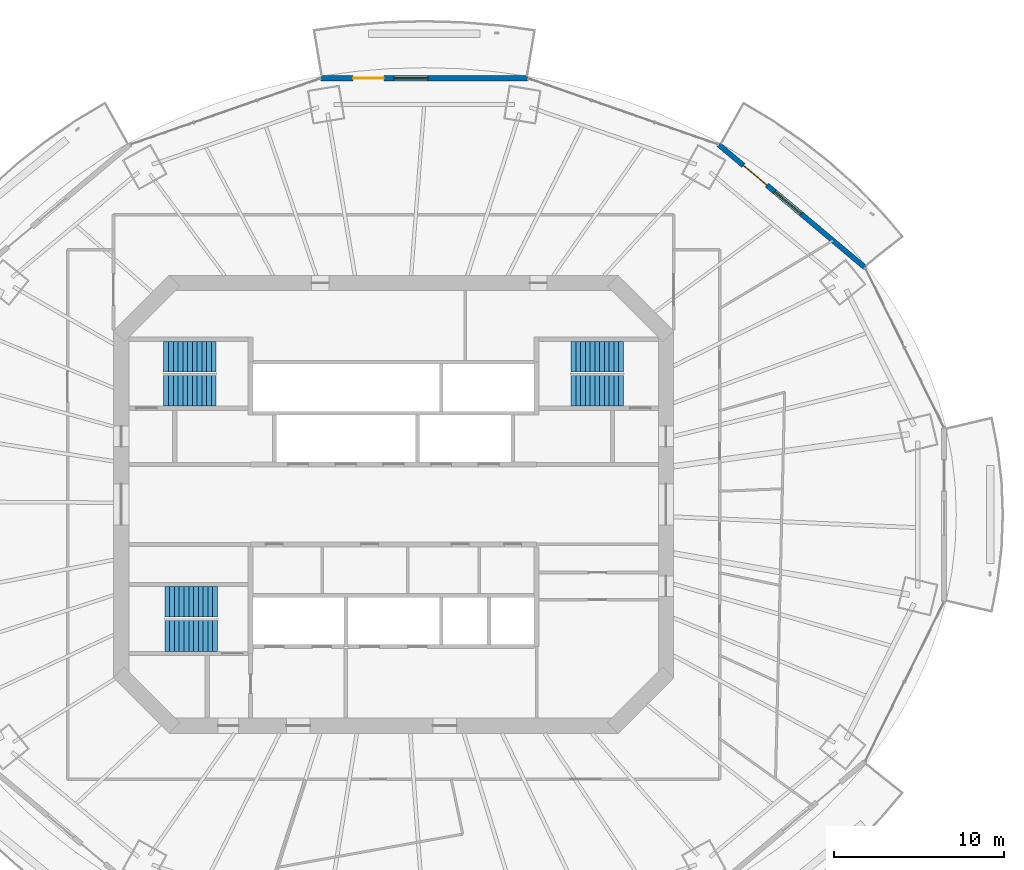
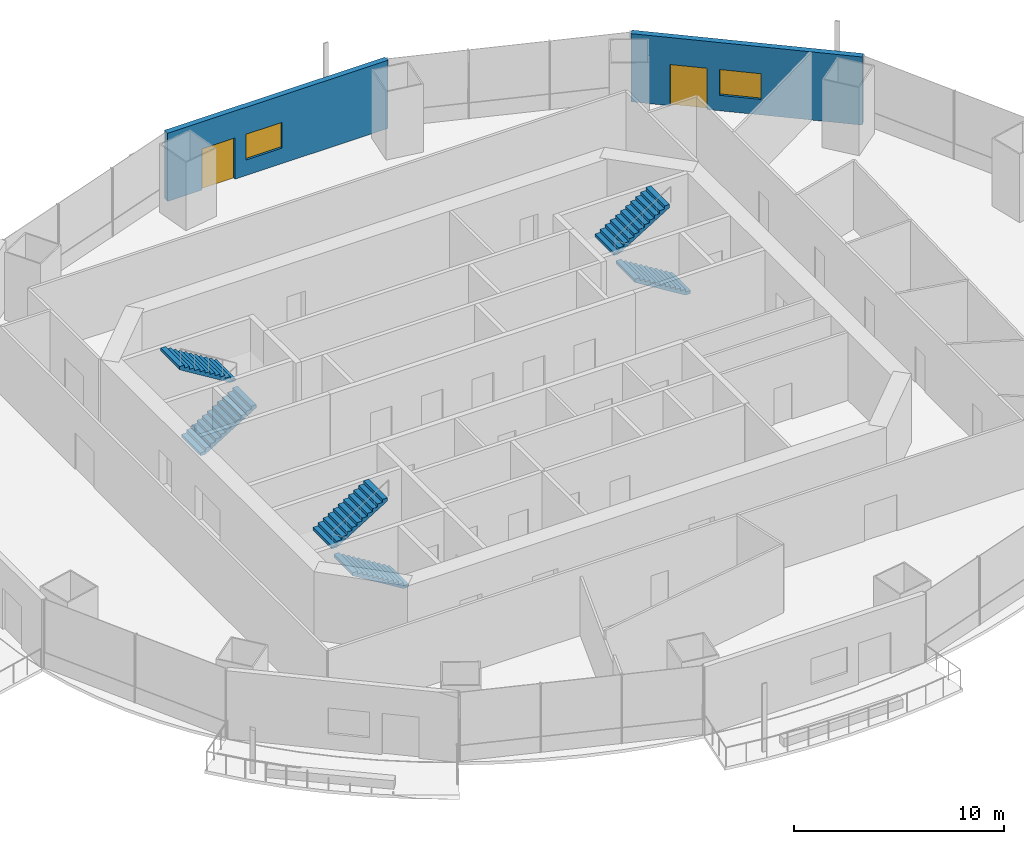
# One storey, part 14 of 20: 6 stair flights, 2 doors, 2 walls, 2 windows, 4 openings, 3 elements without a shape of their own.
"""IFC4 building model written with IfcOpenShell, lengths in metres."""

from ifc_helpers import new_model, si_unit, direction, frame, frame_2d, origin, place, context, subcontext, project, spatial, polyline, rectangle, outline, extrude, material, layer, layer_set, type_object, element, fill, aggregate, save


model = new_model("IFC4")

# Units and contexts
model_context = context("Model", 3, precision=1e-05, world=origin(), true_north=direction((0.0, 1.0)))
body_context = subcontext(model_context, "Body", "Model", "MODEL_VIEW")
ifc_project = project(units=[si_unit("LENGTHUNIT", "METRE"), si_unit("AREAUNIT", "SQUARE_METRE"), si_unit("VOLUMEUNIT", "CUBIC_METRE"), si_unit("PLANEANGLEUNIT", "RADIAN"), si_unit("MASSUNIT", "GRAM", prefix="KILO")], contexts=[model_context])

# Site, building, storey
site_placement = place(None, origin())
site = spatial("IfcSite", under=ifc_project, at=site_placement, CompositionType="ELEMENT")
building_placement = place(site_placement, origin())
building = spatial("IfcBuilding", under=site, at=building_placement, Name="Marenthal Gate Tower", CompositionType="ELEMENT")
storey_placement = place(building_placement, frame((0.0, 0.0, 210.85009765625)))
storey = spatial("IfcBuildingStorey", under=building, at=storey_placement, Name="L46", CompositionType="ELEMENT", Elevation=210.85009765625)

# Wall, openings, door, window
ifc_material_1 = material(Name="Terracotta cladding on insulated concrete-block backing", Category="masonry")
ifc_layer = layer(ifc_material_1, 0.300048828125)
ifc_layer_set = layer_set([ifc_layer], Name="Terracotta facade wall 300")
wall_type = type_object("IfcWallType", Name="Terracotta facade wall 300", PredefinedType="SOLIDWALL", material=ifc_layer_set)
wall_1_placement = place(storey_placement, frame((27.68359375, 13.9169921875, 0.0), z_axis=(0.0, 0.0, 1.0), x_axis=(-0.76593385613, 0.642919379109, 0.0)))
wall_1 = element("IfcWall", 1, at=wall_1_placement, inside=storey, type_object=wall_type, Name="Terracotta facade wall L46 bay 2", PredefinedType="SOLIDWALL", context=body_context, shape_type="SweptSolid", body=[
    extrude(rectangle(XDim=11.21337890625, YDim=0.300048828125, at=frame_2d((5.606689453125, 0.0))), origin(), (0.0, 0.0, 1.0), 3.969970703125),
])
opening_1_placement = place(wall_1_placement, frame((7.51318359375, 0.0, 0.0)))
opening_1 = element("IfcOpeningElement", 2, at=opening_1_placement, cuts=wall_1, Name="Opening BD-L46-02", PredefinedType="OPENING", context=body_context, shape_type="SweptSolid", body=[
    extrude(rectangle(XDim=1.800048828125, YDim=2.39990234375, at=frame_2d((0.89990234375, 1.199951171875))), frame((0.0, 0.16015625, 0.0), z_axis=(0.0, -1.0, 0.0), x_axis=(1.0, 0.0, 0.0)), (0.0, 0.0, 1.0), 0.320068359375),
])
opening_2_placement = place(wall_1_placement, frame((4.913330078125, 0.0, 0.89990234375)))
opening_2 = element("IfcOpeningElement", 3, at=opening_2_placement, cuts=wall_1, Name="Opening WN2-L46-02", PredefinedType="OPENING", context=body_context, shape_type="SweptSolid", body=[
    extrude(rectangle(XDim=2.0, YDim=1.5, at=frame_2d((1.0, 0.75))), frame((0.0, 0.16015625, 0.0), z_axis=(0.0, -1.0, 0.0), x_axis=(1.0, 0.0, 0.0)), (0.0, 0.0, 1.0), 0.320068359375),
])
ifc_material_2 = material(Name="Aluminium and glass", Category="aluminium")
door_type = type_object("IfcDoorType", Name="Balcony door 1800x2400", OperationType="DOUBLE_DOOR_SINGLE_SWING", PredefinedType="DOOR", material=ifc_material_2)
door_1_placement = place(opening_1_placement, origin())
door_1 = element("IfcDoor", 4, at=door_1_placement, inside=storey, type_object=door_type, Name="Balcony door L46 bay 2", OperationType="SINGLE_SWING_LEFT", OverallHeight=2.39990234375, OverallWidth=1.800048828125, PredefinedType="DOOR", context=body_context, shape_type="SweptSolid", body=[
    extrude(rectangle(XDim=1.800048828125, YDim=2.39990234375, at=frame_2d((0.89990234375, 1.199951171875))), frame((0.0, 0.02490234375, 0.0), z_axis=(0.0, -1.0, 0.0), x_axis=(1.0, 0.0, 0.0)), (0.0, 0.0, 1.0), 0.050048828125),
])
fill(opening_1, door_1)
ifc_material_3 = material(Name="Aluminium and glass", Category="aluminium")
window_type = type_object("IfcWindowType", Name="Window 2000x1500", PartitioningType="DOUBLE_PANEL_VERTICAL", PredefinedType="WINDOW", material=ifc_material_3)
window_1_placement = place(opening_2_placement, origin())
window_1 = element("IfcWindow", 5, at=window_1_placement, inside=storey, type_object=window_type, Name="Window L46 bay 2", OverallHeight=1.5, OverallWidth=2.0, PartitioningType="SINGLE_PANEL", PredefinedType="WINDOW", context=body_context, shape_type="SweptSolid", body=[
    extrude(rectangle(XDim=2.0, YDim=1.5, at=frame_2d((1.0, 0.75))), frame((0.0, 0.030029296875, 0.0), z_axis=(0.0, -1.0, 0.0), x_axis=(1.0, 0.0, 0.0)), (0.0, 0.0, 1.0), 0.06005859375),
])
fill(opening_2, window_1)

wall_2_placement = place(storey_placement, frame((7.873291015625, 25.02783203125, 0.0), z_axis=(0.0, 0.0, 1.0), x_axis=(-1.0, 0.0, 0.0)))
wall_2 = element("IfcWall", 6, at=wall_2_placement, inside=storey, type_object=wall_type, Name="Terracotta facade wall L46 bay 4", PredefinedType="SOLIDWALL", context=body_context, shape_type="SweptSolid", body=[
    extrude(rectangle(XDim=12.146484375, YDim=0.300048828125, at=frame_2d((6.0732421875, 0.0))), origin(), (0.0, 0.0, 1.0), 3.969970703125),
])
opening_3_placement = place(wall_2_placement, frame((8.4462890625, 0.0, 0.0)))
opening_3 = element("IfcOpeningElement", 7, at=opening_3_placement, cuts=wall_2, Name="Opening BD-L46-04", PredefinedType="OPENING", context=body_context, shape_type="SweptSolid", body=[
    extrude(rectangle(XDim=1.800048828125, YDim=2.39990234375, at=frame_2d((0.89990234375, 1.199951171875))), frame((0.0, 0.16015625, 0.0), z_axis=(0.0, -1.0, 0.0), x_axis=(1.0, 0.0, 0.0)), (0.0, 0.0, 1.0), 0.320068359375),
])
opening_4_placement = place(wall_2_placement, frame((5.846435546875, 0.0, 0.89990234375)))
opening_4 = element("IfcOpeningElement", 8, at=opening_4_placement, cuts=wall_2, Name="Opening WN2-L46-04", PredefinedType="OPENING", context=body_context, shape_type="SweptSolid", body=[
    extrude(rectangle(XDim=2.0, YDim=1.5, at=frame_2d((1.0, 0.75))), frame((0.0, 0.16015625, 0.0), z_axis=(0.0, -1.0, 0.0), x_axis=(1.0, 0.0, 0.0)), (0.0, 0.0, 1.0), 0.320068359375),
])
door_2_placement = place(opening_3_placement, origin())
door_2 = element("IfcDoor", 9, at=door_2_placement, inside=storey, type_object=door_type, Name="Balcony door L46 bay 4", OperationType="SINGLE_SWING_LEFT", OverallHeight=2.39990234375, OverallWidth=1.800048828125, PredefinedType="DOOR", context=body_context, shape_type="SweptSolid", body=[
    extrude(rectangle(XDim=1.800048828125, YDim=2.39990234375, at=frame_2d((0.89990234375, 1.199951171875))), frame((0.0, 0.02490234375, 0.0), z_axis=(0.0, -1.0, 0.0), x_axis=(1.0, 0.0, 0.0)), (0.0, 0.0, 1.0), 0.050048828125),
])
fill(opening_3, door_2)
window_2_placement = place(opening_4_placement, origin())
window_2 = element("IfcWindow", 10, at=window_2_placement, inside=storey, type_object=window_type, Name="Window L46 bay 4", OverallHeight=1.5, OverallWidth=2.0, PartitioningType="SINGLE_PANEL", PredefinedType="WINDOW", context=body_context, shape_type="SweptSolid", body=[
    extrude(rectangle(XDim=2.0, YDim=1.5, at=frame_2d((1.0, 0.75))), frame((0.0, 0.030029296875, 0.0), z_axis=(0.0, -1.0, 0.0), x_axis=(1.0, 0.0, 0.0)), (0.0, 0.0, 1.0), 0.06005859375),
])
fill(opening_4, window_2)

# Stair, stair flights
ifc_material_4 = material(Name="Concrete 40 MPa", Category="concrete")
stair_type = type_object("IfcStairType", Name="Exit stair 1800", PredefinedType="HALF_TURN_STAIR", material=ifc_material_4)
stair_1_placement = place(storey_placement, origin())
stair_1 = element("IfcStair", 11, at=stair_1_placement, inside=storey, type_object=stair_type, Name="Stair ST1", PredefinedType="HALF_TURN_STAIR")
ifc_material_5 = material(Name="Concrete 40 MPa", Category="concrete")
stair_flight_type = type_object("IfcStairFlightType", Name="Stair flight 1800", PredefinedType="STRAIGHT", material=ifc_material_5)
stair_flight_1_placement = place(storey_placement, frame((-13.5, 6.675048828125, 0.0), z_axis=(0.0, 0.0, 1.0), x_axis=(1.0, 0.0, 0.0)))
stair_flight_1 = element("IfcStairFlight", 12, at=stair_flight_1_placement, type_object=stair_flight_type, Name="ST1 flight 1", NumberOfRisers=12, NumberOfTreads=11, PredefinedType="STRAIGHT", RiserHeight=0.172916667, TreadLength=0.28, context=body_context, shape_type="SweptSolid", body=[
    extrude(outline(polyline([(0.0, 0.0), (0.0, 0.1728515625), (0.280029296875, 0.1728515625), (0.280029296875, 0.345947265625), (0.56005859375, 0.345947265625), (0.56005859375, 0.518798828125), (0.840087890625, 0.518798828125), (0.840087890625, 0.691650390625), (1.1201171875, 0.691650390625), (1.1201171875, 0.864501953125), (1.39990234375, 0.864501953125), (1.39990234375, 1.03759765625), (1.679931640625, 1.03759765625), (1.679931640625, 1.21044921875), (1.9599609375, 1.21044921875), (1.9599609375, 1.38330078125), (2.239990234375, 1.38330078125), (2.239990234375, 1.55615234375), (2.52001953125, 1.55615234375), (2.52001953125, 1.729248046875), (2.800048828125, 1.729248046875), (2.800048828125, 1.902099609375), (3.080078125, 1.902099609375), (3.080078125, 2.074951171875), (3.080078125, 1.725830078125), (0.285400390625, 0.0), (0.0, 0.0)])), frame((0.0, 0.89990234375, 0.0), z_axis=(0.0, -1.0, 0.0), x_axis=(1.0, 0.0, 0.0)), (0.0, 0.0, 1.0), 1.800048828125),
])
stair_flight_2_placement = place(storey_placement, frame((-10.419921875, 8.675048828125, 2.074951171875), z_axis=(0.0, 0.0, 1.0), x_axis=(-1.0, 0.0, 0.0)))
stair_flight_2 = element("IfcStairFlight", 13, at=stair_flight_2_placement, type_object=stair_flight_type, Name="ST1 flight 2", NumberOfRisers=12, NumberOfTreads=11, PredefinedType="STRAIGHT", RiserHeight=0.172916667, TreadLength=0.28, context=body_context, shape_type="SweptSolid", body=[
    extrude(outline(polyline([(0.0, 0.0), (0.0, 0.1728515625), (0.280029296875, 0.1728515625), (0.280029296875, 0.345947265625), (0.56005859375, 0.345947265625), (0.56005859375, 0.518798828125), (0.840087890625, 0.518798828125), (0.840087890625, 0.691650390625), (1.1201171875, 0.691650390625), (1.1201171875, 0.864501953125), (1.39990234375, 0.864501953125), (1.39990234375, 1.03759765625), (1.679931640625, 1.03759765625), (1.679931640625, 1.21044921875), (1.9599609375, 1.21044921875), (1.9599609375, 1.38330078125), (2.239990234375, 1.38330078125), (2.239990234375, 1.55615234375), (2.52001953125, 1.55615234375), (2.52001953125, 1.729248046875), (2.800048828125, 1.729248046875), (2.800048828125, 1.902099609375), (3.080078125, 1.902099609375), (3.080078125, 2.074951171875), (3.080078125, 1.725830078125), (0.285400390625, 0.0), (0.0, 0.0)])), frame((0.0, 0.89990234375, 0.0), z_axis=(0.0, -1.0, 0.0), x_axis=(1.0, 0.0, 0.0)), (0.0, 0.0, 1.0), 1.800048828125),
])
aggregate(stair_1, [stair_flight_1, stair_flight_2])

stair_2_placement = place(storey_placement, origin())
stair_2 = element("IfcStair", 14, at=stair_2_placement, inside=storey, type_object=stair_type, Name="Stair ST2", PredefinedType="HALF_TURN_STAIR")
stair_flight_3_placement = place(storey_placement, frame((-10.35009765625, -7.72509765625, 0.0), z_axis=(0.0, 0.0, 1.0), x_axis=(-1.0, 0.0, 0.0)))
stair_flight_3 = element("IfcStairFlight", 15, at=stair_flight_3_placement, type_object=stair_flight_type, Name="ST2 flight 1", NumberOfRisers=12, NumberOfTreads=11, PredefinedType="STRAIGHT", RiserHeight=0.172916667, TreadLength=0.28, context=body_context, shape_type="SweptSolid", body=[
    extrude(outline(polyline([(0.0, 0.0), (0.0, 0.1728515625), (0.280029296875, 0.1728515625), (0.280029296875, 0.345947265625), (0.56005859375, 0.345947265625), (0.56005859375, 0.518798828125), (0.840087890625, 0.518798828125), (0.840087890625, 0.691650390625), (1.1201171875, 0.691650390625), (1.1201171875, 0.864501953125), (1.39990234375, 0.864501953125), (1.39990234375, 1.03759765625), (1.679931640625, 1.03759765625), (1.679931640625, 1.21044921875), (1.9599609375, 1.21044921875), (1.9599609375, 1.38330078125), (2.239990234375, 1.38330078125), (2.239990234375, 1.55615234375), (2.52001953125, 1.55615234375), (2.52001953125, 1.729248046875), (2.800048828125, 1.729248046875), (2.800048828125, 1.902099609375), (3.080078125, 1.902099609375), (3.080078125, 2.074951171875), (3.080078125, 1.725830078125), (0.285400390625, 0.0), (0.0, 0.0)])), frame((0.0, 0.89990234375, 0.0), z_axis=(0.0, -1.0, 0.0), x_axis=(1.0, 0.0, 0.0)), (0.0, 0.0, 1.0), 1.800048828125),
])
stair_flight_4_placement = place(storey_placement, frame((-13.429931640625, -5.72509765625, 2.074951171875), z_axis=(0.0, 0.0, 1.0), x_axis=(1.0, 0.0, 0.0)))
stair_flight_4 = element("IfcStairFlight", 16, at=stair_flight_4_placement, type_object=stair_flight_type, Name="ST2 flight 2", NumberOfRisers=12, NumberOfTreads=11, PredefinedType="STRAIGHT", RiserHeight=0.172916667, TreadLength=0.28, context=body_context, shape_type="SweptSolid", body=[
    extrude(outline(polyline([(0.0, 0.0), (0.0, 0.1728515625), (0.280029296875, 0.1728515625), (0.280029296875, 0.345947265625), (0.56005859375, 0.345947265625), (0.56005859375, 0.518798828125), (0.840087890625, 0.518798828125), (0.840087890625, 0.691650390625), (1.1201171875, 0.691650390625), (1.1201171875, 0.864501953125), (1.39990234375, 0.864501953125), (1.39990234375, 1.03759765625), (1.679931640625, 1.03759765625), (1.679931640625, 1.21044921875), (1.9599609375, 1.21044921875), (1.9599609375, 1.38330078125), (2.239990234375, 1.38330078125), (2.239990234375, 1.55615234375), (2.52001953125, 1.55615234375), (2.52001953125, 1.729248046875), (2.800048828125, 1.729248046875), (2.800048828125, 1.902099609375), (3.080078125, 1.902099609375), (3.080078125, 2.074951171875), (3.080078125, 1.725830078125), (0.285400390625, 0.0), (0.0, 0.0)])), frame((0.0, 0.89990234375, 0.0), z_axis=(0.0, -1.0, 0.0), x_axis=(1.0, 0.0, 0.0)), (0.0, 0.0, 1.0), 1.800048828125),
])
aggregate(stair_2, [stair_flight_3, stair_flight_4])

stair_3_placement = place(storey_placement, origin())
stair_3 = element("IfcStair", 17, at=stair_3_placement, inside=storey, type_object=stair_type, Name="Stair ST3", PredefinedType="HALF_TURN_STAIR")
stair_flight_5_placement = place(storey_placement, frame((13.5, 6.675048828125, 0.0), z_axis=(0.0, 0.0, 1.0), x_axis=(-1.0, 0.0, 0.0)))
stair_flight_5 = element("IfcStairFlight", 18, at=stair_flight_5_placement, type_object=stair_flight_type, Name="ST3 flight 1", NumberOfRisers=12, NumberOfTreads=11, PredefinedType="STRAIGHT", RiserHeight=0.172916667, TreadLength=0.28, context=body_context, shape_type="SweptSolid", body=[
    extrude(outline(polyline([(0.0, 0.0), (0.0, 0.1728515625), (0.280029296875, 0.1728515625), (0.280029296875, 0.345947265625), (0.56005859375, 0.345947265625), (0.56005859375, 0.518798828125), (0.840087890625, 0.518798828125), (0.840087890625, 0.691650390625), (1.1201171875, 0.691650390625), (1.1201171875, 0.864501953125), (1.39990234375, 0.864501953125), (1.39990234375, 1.03759765625), (1.679931640625, 1.03759765625), (1.679931640625, 1.21044921875), (1.9599609375, 1.21044921875), (1.9599609375, 1.38330078125), (2.239990234375, 1.38330078125), (2.239990234375, 1.55615234375), (2.52001953125, 1.55615234375), (2.52001953125, 1.729248046875), (2.800048828125, 1.729248046875), (2.800048828125, 1.902099609375), (3.080078125, 1.902099609375), (3.080078125, 2.074951171875), (3.080078125, 1.725830078125), (0.285400390625, 0.0), (0.0, 0.0)])), frame((0.0, 0.89990234375, 0.0), z_axis=(0.0, -1.0, 0.0), x_axis=(1.0, 0.0, 0.0)), (0.0, 0.0, 1.0), 1.800048828125),
])
stair_flight_6_placement = place(storey_placement, frame((10.419921875, 8.675048828125, 2.074951171875), z_axis=(0.0, 0.0, 1.0), x_axis=(1.0, 0.0, 0.0)))
stair_flight_6 = element("IfcStairFlight", 19, at=stair_flight_6_placement, type_object=stair_flight_type, Name="ST3 flight 2", NumberOfRisers=12, NumberOfTreads=11, PredefinedType="STRAIGHT", RiserHeight=0.172916667, TreadLength=0.28, context=body_context, shape_type="SweptSolid", body=[
    extrude(outline(polyline([(0.0, 0.0), (0.0, 0.1728515625), (0.280029296875, 0.1728515625), (0.280029296875, 0.345947265625), (0.56005859375, 0.345947265625), (0.56005859375, 0.518798828125), (0.840087890625, 0.518798828125), (0.840087890625, 0.691650390625), (1.1201171875, 0.691650390625), (1.1201171875, 0.864501953125), (1.39990234375, 0.864501953125), (1.39990234375, 1.03759765625), (1.679931640625, 1.03759765625), (1.679931640625, 1.21044921875), (1.9599609375, 1.21044921875), (1.9599609375, 1.38330078125), (2.239990234375, 1.38330078125), (2.239990234375, 1.55615234375), (2.52001953125, 1.55615234375), (2.52001953125, 1.729248046875), (2.800048828125, 1.729248046875), (2.800048828125, 1.902099609375), (3.080078125, 1.902099609375), (3.080078125, 2.074951171875), (3.080078125, 1.725830078125), (0.285400390625, 0.0), (0.0, 0.0)])), frame((0.0, 0.89990234375, 0.0), z_axis=(0.0, -1.0, 0.0), x_axis=(1.0, 0.0, 0.0)), (0.0, 0.0, 1.0), 1.800048828125),
])
aggregate(stair_3, [stair_flight_5, stair_flight_6])

save(model, "model.ifc")
